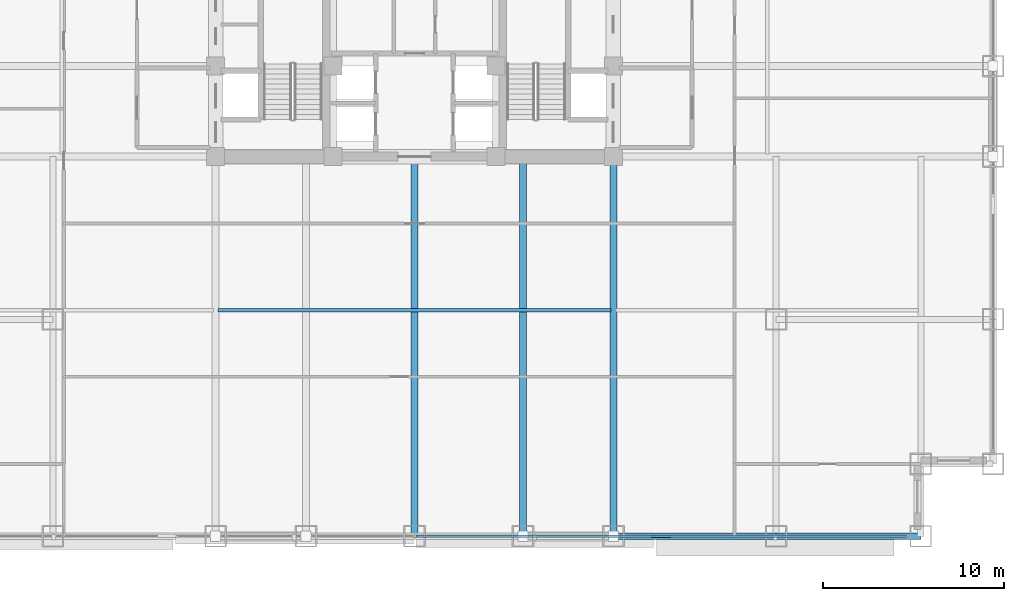
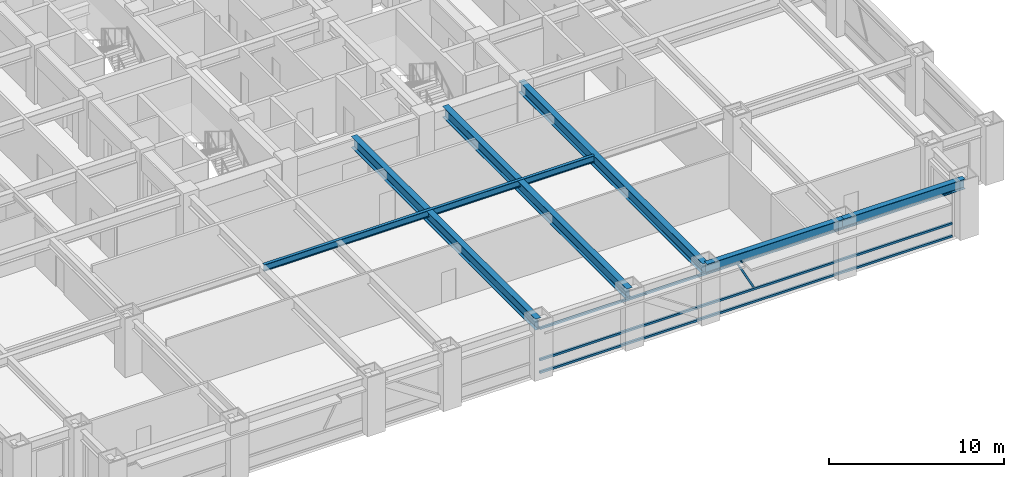
# One storey, part 5 of 32: 6 beams, 4 members, 1 element without a shape of its own.
"""IFC4 building model written with IfcOpenShell, lengths in metres."""

from ifc_helpers import new_model, si_unit, direction, frame, origin, origin_2d, place, context, subcontext, project, spatial, hollow_rectangle, i_section, extrude, source, transform, mapped, material, material_profile, profile_set, type_object, element, aggregate, save


model = new_model("IFC4")

# Units and contexts
model_context = context("Model", 3, precision=1e-05, world=origin(), true_north=direction((0.0, 1.0)))
body_context = subcontext(model_context, "Body", "Model", "MODEL_VIEW")
ifc_project = project(units=[si_unit("LENGTHUNIT", "METRE"), si_unit("AREAUNIT", "SQUARE_METRE"), si_unit("VOLUMEUNIT", "CUBIC_METRE"), si_unit("PLANEANGLEUNIT", "RADIAN"), si_unit("MASSUNIT", "GRAM", prefix="KILO")], contexts=[model_context])

# Site, building, storey
site_placement = place(None, origin())
site = spatial("IfcSite", under=ifc_project, at=site_placement, CompositionType="ELEMENT")
building_placement = place(site_placement, origin())
building = spatial("IfcBuilding", under=site, at=building_placement, Name="Khorayat Bourse Tower", CompositionType="ELEMENT")
storey_placement = place(building_placement, frame((0.0, 0.0, 91.39990234375)))
storey = spatial("IfcBuildingStorey", under=building, at=storey_placement, Name="L20", CompositionType="ELEMENT", Elevation=91.39990234375)

# Beams
ifc_material_1 = material(Name="Steel ASTM A992 Grade 50", Category="steel")
ifc_material_profile_1 = material_profile(ifc_material_1, i_section(OverallWidth=0.35498046875, OverallDepth=0.695068359375, WebThickness=0.015380859375, FlangeThickness=0.02490234375, FilletRadius=0.01806640625, at=origin_2d()), Name="W690X217")
ifc_profile_set_1 = profile_set([ifc_material_profile_1], Name="Steel ASTM A992 Grade 50")
beam_type_1 = type_object("IfcBeamType", Name="BM-SPAN-690", PredefinedType="SPANDREL", material=ifc_profile_set_1)
shared_shape_1 = source(origin(), body_context, "Body", "SweptSolid", [
    extrude(i_section(OverallWidth=0.35498046875, OverallDepth=0.695068359375, WebThickness=0.015380859375, FlangeThickness=0.02490234375, FilletRadius=0.01806640625, at=origin_2d()), origin(), (0.0, 0.0, 1.0), 9.0),
])
beam_1_placement = place(storey_placement, frame((11.0, -32.0, 3.49267578125), z_axis=(1.0, 0.0, 0.0), x_axis=(0.0, 1.0, 0.0)))
element("IfcBeam", 1, at=beam_1_placement, inside=storey, type_object=beam_type_1, Name="L20 BM-SPAN-690 BM-L20-SPN-030", PredefinedType="SPANDREL", context=body_context, shape_type="MappedRepresentation", body=[
    mapped(shared_shape_1, transform((0.0, 0.0, 0.0), scale=1.0)),
])
ifc_material_profile_2 = material_profile(ifc_material_1, i_section(OverallWidth=0.194091796875, OverallDepth=0.468994140625, WebThickness=0.0126953125, FlangeThickness=0.0205078125, FilletRadius=0.012939453125, at=origin_2d()), Name="W460X106")
ifc_profile_set_2 = profile_set([ifc_material_profile_2], Name="Steel ASTM A992 Grade 50")
beam_type_2 = type_object("IfcBeamType", Name="BM-JOIST-460", PredefinedType="JOIST", material=ifc_profile_set_2)
shared_shape_2 = source(origin(), body_context, "Body", "SweptSolid", [
    extrude(i_section(OverallWidth=0.194091796875, OverallDepth=0.468994140625, WebThickness=0.0126953125, FlangeThickness=0.0205078125, FilletRadius=0.012939453125, at=origin_2d()), origin(), (0.0, 0.0, 1.0), 21.740234375),
])
beam_2_placement = place(storey_placement, frame((-10.8701171875, -19.5, 3.605712890625), z_axis=(1.0, 0.0, 0.0), x_axis=(0.0, 1.0, 0.0)))
element("IfcBeam", 2, at=beam_2_placement, inside=storey, type_object=beam_type_2, Name="L20 BM-JOIST-460 BM-L20-JSTX-097", PredefinedType="JOIST", context=body_context, shape_type="MappedRepresentation", body=[
    mapped(shared_shape_2, transform((0.0, 0.0, 0.0), scale=1.0)),
])
shared_shape_3 = source(origin(), body_context, "Body", "SweptSolid", [
    extrude(i_section(OverallWidth=0.35498046875, OverallDepth=0.695068359375, WebThickness=0.015380859375, FlangeThickness=0.02490234375, FilletRadius=0.01806640625, at=origin_2d()), origin(), (0.0, 0.0, 1.0), 8.0),
])
beam_3_placement = place(storey_placement, frame((20.0, -32.0, 3.49267578125), z_axis=(1.0, 0.0, 0.0), x_axis=(0.0, 1.0, 0.0)))
element("IfcBeam", 3, at=beam_3_placement, inside=storey, type_object=beam_type_1, Name="L20 BM-SPAN-690 BM-L20-SPN-031", PredefinedType="SPANDREL", context=body_context, shape_type="MappedRepresentation", body=[
    mapped(shared_shape_3, transform((0.0, 0.0, 0.0), scale=1.0)),
])
ifc_material_profile_3 = material_profile(ifc_material_1, i_section(OverallWidth=0.381103515625, OverallDepth=0.77294921875, WebThickness=0.0166015625, FlangeThickness=0.027587890625, FilletRadius=0.01806640625, at=origin_2d()), Name="W760X257")
ifc_profile_set_3 = profile_set([ifc_material_profile_3], Name="Steel ASTM A992 Grade 50")
beam_type_3 = type_object("IfcBeamType", Name="BM-GIRD-760", PredefinedType="BEAM", material=ifc_profile_set_3)
shared_shape_4 = source(origin(), body_context, "Body", "SweptSolid", [
    extrude(i_section(OverallWidth=0.381103515625, OverallDepth=0.77294921875, WebThickness=0.0166015625, FlangeThickness=0.027587890625, FilletRadius=0.01806640625, at=origin_2d()), origin(), (0.0, 0.0, 1.0), 21.0),
])
for number, where, z_axis, x_axis, name in (
    (4, (0.0, -32.0, 3.45361328125), (0.0, 1.0, 0.0), (-1.0, 0.0, 0.0), "L20 BM-GIRD-760 BM-L20-RADY-069"),
    (5, (6.0, -32.0, 3.45361328125), (0.0, 1.0, 0.0), (-1.0, 0.0, 0.0), "L20 BM-GIRD-760 BM-L20-RADY-071"),
    (6, (11.0, -32.0, 3.45361328125), (0.0, 1.0, 0.0), (-1.0, 0.0, 0.0), "L20 BM-GIRD-760 BM-L20-RADY-073"),
):
    element("IfcBeam", number, at=place(storey_placement, frame(where, z_axis=z_axis, x_axis=x_axis)), inside=storey, type_object=beam_type_3, Name=name, PredefinedType="BEAM", context=body_context, shape_type="MappedRepresentation", body=[
        mapped(shared_shape_4, transform((0.0, 0.0, 0.0), scale=1.0)),
    ])

# Curtain wall, members
ifc_material_2 = material(Name="Aluminium EN AW-6063 T6", Category="aluminium")
curtain_wall_type = type_object("IfcCurtainWallType", Name="CW-SYS-02", PredefinedType="NOTDEFINED", material=ifc_material_2)
curtain_wall_placement = place(storey_placement, origin())
curtain_wall = element("IfcCurtainWall", 7, at=curtain_wall_placement, inside=storey, type_object=curtain_wall_type, Name="L20 Curtain Wall CW-L20-S1", PredefinedType="NOTDEFINED")
ifc_material_profile_4 = material_profile(ifc_material_2, hollow_rectangle(XDim=0.139892578125, YDim=0.139892578125, WallThickness=0.006103515625, at=origin_2d()), Name="ALU 140x140x6")
ifc_profile_set_4 = profile_set([ifc_material_profile_4], Name="Aluminium EN AW-6063 T6")
member_type_1 = type_object("IfcMemberType", Name="CWT-HORZ-140", PredefinedType="USERDEFINED", material=ifc_profile_set_4)
shared_shape_5 = source(origin(), body_context, "Body", "SweptSolid", [
    extrude(hollow_rectangle(XDim=0.139892578125, YDim=0.139892578125, WallThickness=0.006103515625, at=origin_2d()), origin(), (0.0, 0.0, 1.0), 27.139892578125),
])
member_1_placement = place(storey_placement, frame((0.070068359375, -32.0, 0.070068359375), z_axis=(1.0, 0.0, 0.0), x_axis=(0.0, 1.0, 0.0)))
member_1 = element("IfcMember", 8, at=member_1_placement, type_object=member_type_1, Name="CW-L20-S1 Horizontal Transom 2-1", ObjectType="TRANSOM", PredefinedType="USERDEFINED", context=body_context, shape_type="MappedRepresentation", body=[
    mapped(shared_shape_5, transform((0.0, 0.0, 0.0), scale=1.0)),
])
member_2_placement = place(storey_placement, frame((0.070068359375, -32.0, 0.9501953125), z_axis=(1.0, 0.0, 0.0), x_axis=(0.0, 1.0, 0.0)))
member_2 = element("IfcMember", 9, at=member_2_placement, type_object=member_type_1, Name="CW-L20-S1 Horizontal Transom 2-2", ObjectType="TRANSOM", PredefinedType="USERDEFINED", context=body_context, shape_type="MappedRepresentation", body=[
    mapped(shared_shape_5, transform((0.0, 0.0, 0.0), scale=1.0)),
])
member_3_placement = place(storey_placement, frame((0.070068359375, -32.0, 3.1201171875), z_axis=(1.0, 0.0, 0.0), x_axis=(0.0, 1.0, 0.0)))
member_3 = element("IfcMember", 10, at=member_3_placement, type_object=member_type_1, Name="CW-L20-S1 Horizontal Transom 2-3", ObjectType="TRANSOM", PredefinedType="USERDEFINED", context=body_context, shape_type="MappedRepresentation", body=[
    mapped(shared_shape_5, transform((0.0, 0.0, 0.0), scale=1.0)),
])
ifc_material_profile_5 = material_profile(ifc_material_2, hollow_rectangle(XDim=0.1201171875, YDim=0.1201171875, WallThickness=0.0048828125, at=origin_2d()), Name="ALU 120x120x5")
ifc_profile_set_5 = profile_set([ifc_material_profile_5], Name="Aluminium EN AW-6063 T6")
member_type_2 = type_object("IfcMemberType", Name="CWM-DIAG-120", PredefinedType="MULLION", material=ifc_profile_set_5)
shared_shape_6 = source(origin(), body_context, "Body", "SweptSolid", [
    extrude(hollow_rectangle(XDim=0.1201171875, YDim=0.1201171875, WallThickness=0.0048828125, at=origin_2d()), origin(), (0.0, 0.0, 1.0), 2.11328125),
])
member_4_placement = place(storey_placement, frame((14.132080078125, -32.0, 1.10009765625), z_axis=(-0.465694055905, 0.0, 0.884945787207), x_axis=(0.0, -1.0, 0.0)))
member_4 = element("IfcMember", 11, at=member_4_placement, type_object=member_type_2, Name="CW-L20-S1 Faceted Diagonal Mullion 2", PredefinedType="MULLION", context=body_context, shape_type="MappedRepresentation", body=[
    mapped(shared_shape_6, transform((0.0, 0.0, 0.0), scale=1.0)),
])
aggregate(curtain_wall, [member_1, member_2, member_3, member_4])

save(model, "model.ifc")
